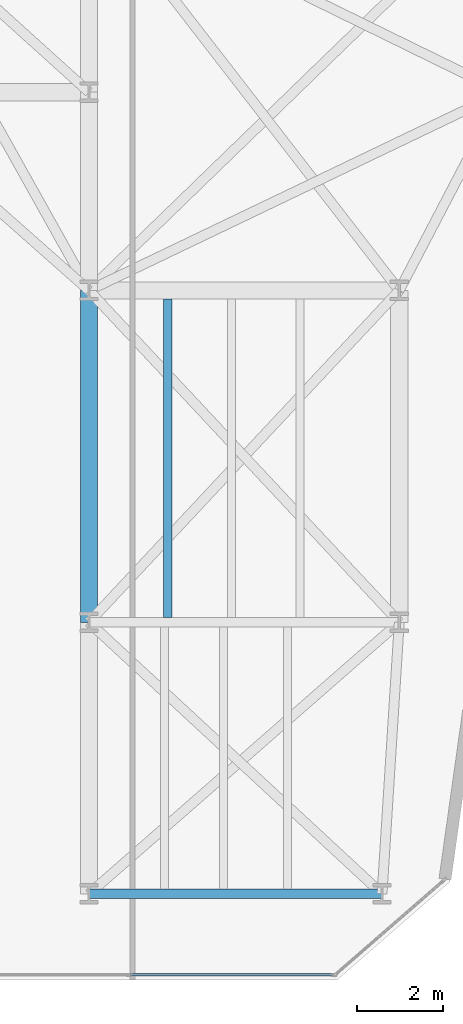
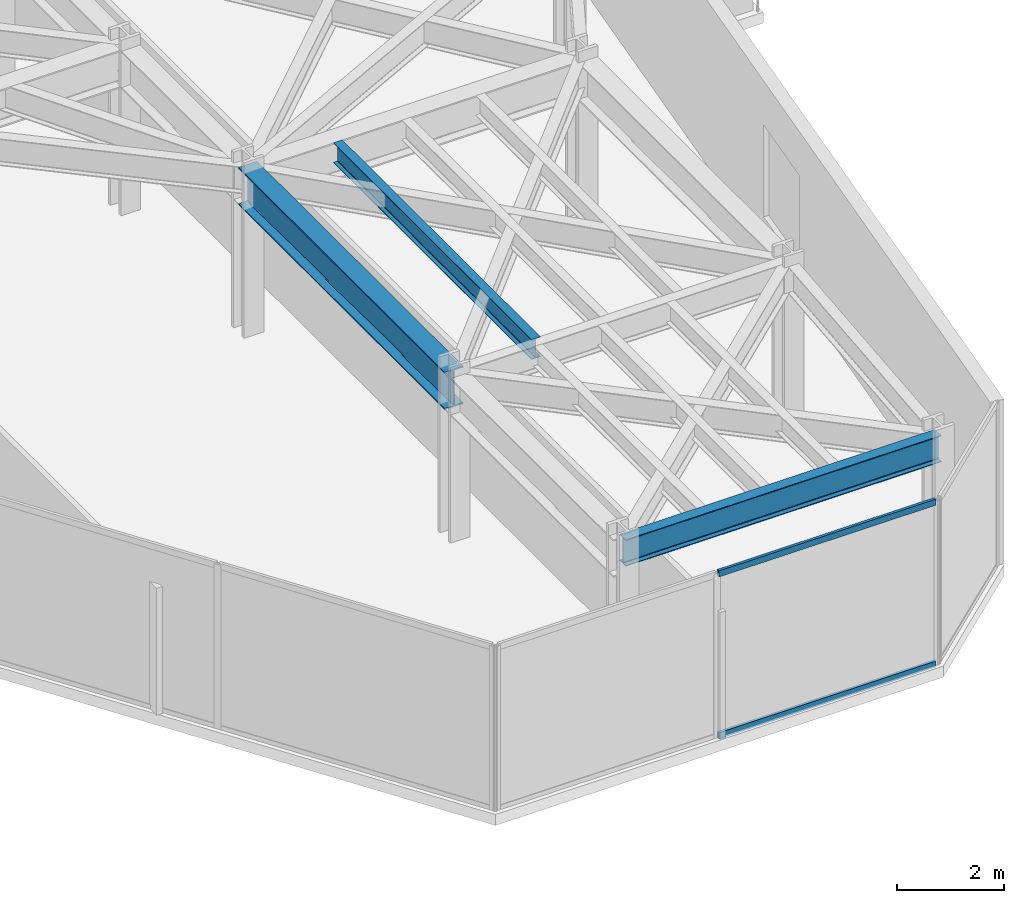
# One storey, part 18 of 26: 3 beams, 2 members, 1 element without a shape of its own.
"""IFC4 building model written with IfcOpenShell, lengths in metres."""

from ifc_helpers import new_model, si_unit, direction, frame, origin, origin_2d, place, context, subcontext, project, spatial, hollow_rectangle, i_section, extrude, material, layer, layer_set, material_profile, profile_set, type_object, element, aggregate, save


model = new_model("IFC4")

# Units and contexts
model_context = context("Model", 3, precision=1e-05, world=origin(), true_north=direction((0.0, 1.0)))
body_context = subcontext(model_context, "Body", "Model", "MODEL_VIEW")
ifc_project = project(units=[si_unit("LENGTHUNIT", "METRE"), si_unit("AREAUNIT", "SQUARE_METRE"), si_unit("VOLUMEUNIT", "CUBIC_METRE"), si_unit("PLANEANGLEUNIT", "RADIAN"), si_unit("MASSUNIT", "GRAM", prefix="KILO")], contexts=[model_context])

# Site, building, storey
site_placement = place(None, origin())
site = spatial("IfcSite", under=ifc_project, at=site_placement, CompositionType="ELEMENT")
building_placement = place(site_placement, origin())
building = spatial("IfcBuilding", under=site, at=building_placement, Name="Kravanh Interchange Tower", CompositionType="ELEMENT")
storey_placement = place(building_placement, frame((0.0, 0.0, 112.0)))
storey = spatial("IfcBuildingStorey", under=building, at=storey_placement, Name="L26", CompositionType="ELEMENT", Elevation=112.0)

# Curtain wall, members
ifc_material_1 = material(Name="Anodised Bronze Aluminium", Category="aluminium")
ifc_layer = layer(ifc_material_1, 0.179931640625)
ifc_layer_set = layer_set([ifc_layer], Name="Unitised Curtain Wall System CW-Z2 Mid Office")
curtain_wall_type = type_object("IfcCurtainWallType", Name="Unitised Curtain Wall System CW-Z2 Mid Office", PredefinedType="NOTDEFINED", material=ifc_layer_set)
curtain_wall_placement = place(storey_placement, origin())
curtain_wall = element("IfcCurtainWall", 1, at=curtain_wall_placement, inside=storey, type_object=curtain_wall_type, Name="L26 Unitised Curtain Wall CW-L26-03", PredefinedType="NOTDEFINED")
ifc_material_2 = material(Name="Anodised Bronze Aluminium", Category="aluminium")
ifc_material_profile_1 = material_profile(ifc_material_2, hollow_rectangle(XDim=0.06005859375, YDim=0.139892578125, WallThickness=0.00390625, at=origin_2d()), Name="ALU60X140X4")
ifc_profile_set_1 = profile_set([ifc_material_profile_1], Name="Anodised Bronze Aluminium")
member_type = type_object("IfcMemberType", Name="Curtain Wall Transom ALU60X140X4 Bronze", PredefinedType="USERDEFINED", material=ifc_profile_set_1)
member_1_placement = place(storey_placement, frame((61.650146484375, 6.320068359375, 0.030029296875), z_axis=(-1.0, 0.0, 0.0), x_axis=(0.0, -1.0, 0.0)))
member_1 = element("IfcMember", 2, at=member_1_placement, type_object=member_type, Name="CW-Z2 transom 1.1", ObjectType="TRANSOM", PredefinedType="USERDEFINED", context=body_context, shape_type="SweptSolid", body=[
    extrude(hollow_rectangle(XDim=0.06005859375, YDim=0.139892578125, WallThickness=0.00390625, at=origin_2d()), origin(), (0.0, 0.0, 1.0), 4.68212890625),
])
member_2_placement = place(storey_placement, frame((61.650146484375, 6.320068359375, 3.719970703125), z_axis=(-1.0, 0.0, 0.0), x_axis=(0.0, -1.0, 0.0)))
member_2 = element("IfcMember", 3, at=member_2_placement, type_object=member_type, Name="CW-Z2 transom 1.2", ObjectType="TRANSOM", PredefinedType="USERDEFINED", context=body_context, shape_type="SweptSolid", body=[
    extrude(hollow_rectangle(XDim=0.06005859375, YDim=0.139892578125, WallThickness=0.00390625, at=origin_2d()), origin(), (0.0, 0.0, 1.0), 4.68212890625),
])
aggregate(curtain_wall, [member_1, member_2])

# Beams
ifc_material_3 = material(Name="Structural Steel S355", Category="steel")
ifc_material_profile_2 = material_profile(ifc_material_3, i_section(OverallWidth=0.39990234375, OverallDepth=0.85595703125, WebThickness=0.018310546875, FlangeThickness=0.029296875, FilletRadius=0.02490234375, at=origin_2d()), Name="W33X201")
ifc_profile_set_2 = profile_set([ifc_material_profile_2], Name="Structural Steel S355")
beam_type_1 = type_object("IfcBeamType", Name="Floor Beam W33X201 Structural Steel S355", PredefinedType="BEAM", material=ifc_profile_set_2)
beam_1_placement = place(storey_placement, frame((56.0, 14.5, 3.322021484375), z_axis=(0.0, 1.0, 0.0), x_axis=(-1.0, 0.0, 0.0)))
element("IfcBeam", 4, at=beam_1_placement, inside=storey, type_object=beam_type_1, Name="L26 Primary Floor Girder 104", PredefinedType="BEAM", context=body_context, shape_type="SweptSolid", body=[
    extrude(i_section(OverallWidth=0.39990234375, OverallDepth=0.85595703125, WebThickness=0.018310546875, FlangeThickness=0.029296875, FilletRadius=0.02490234375, at=origin_2d()), origin(), (0.0, 0.0, 1.0), 7.699951171875),
])
ifc_material_4 = material(Name="Structural Steel S355", Category="steel")
ifc_material_profile_3 = material_profile(ifc_material_4, i_section(OverallWidth=0.18994140625, OverallDepth=0.45703125, WebThickness=0.009033203125, FlangeThickness=0.014404296875, FilletRadius=0.01806640625, at=origin_2d()), Name="W18X50")
ifc_profile_set_3 = profile_set([ifc_material_profile_3], Name="Structural Steel S355")
beam_type_2 = type_object("IfcBeamType", Name="Floor Joist W18X50 Structural Steel S355", PredefinedType="JOIST", material=ifc_profile_set_3)
beam_2_placement = place(storey_placement, frame((57.830078125, 14.60888671875, 3.521484375), z_axis=(0.0, 1.0, 0.0), x_axis=(-1.0, 0.0, 0.0)))
element("IfcBeam", 5, at=beam_2_placement, inside=storey, type_object=beam_type_2, Name="L26 Secondary Floor Joist 10", PredefinedType="JOIST", context=body_context, shape_type="SweptSolid", body=[
    extrude(i_section(OverallWidth=0.18994140625, OverallDepth=0.45703125, WebThickness=0.009033203125, FlangeThickness=0.014404296875, FilletRadius=0.01806640625, at=origin_2d()), origin(), (0.0, 0.0, 1.0), 7.39599609375),
])
ifc_material_5 = material(Name="Structural Steel S355", Category="steel")
ifc_material_profile_4 = material_profile(ifc_material_5, i_section(OverallWidth=0.22802734375, OverallDepth=0.60791015625, WebThickness=0.01123046875, FlangeThickness=0.017333984375, FilletRadius=0.02197265625, at=origin_2d()), Name="W24X76")
ifc_profile_set_4 = profile_set([ifc_material_profile_4], Name="Structural Steel S355")
beam_type_3 = type_object("IfcBeamType", Name="Floor Spandrel W24X76 Structural Steel S355", PredefinedType="SPANDREL", material=ifc_profile_set_4)
beam_3_placement = place(storey_placement, frame((56.0, 8.199951171875, 3.446044921875), z_axis=(1.0, 0.0, 0.0), x_axis=(0.0, 1.0, 0.0)))
element("IfcBeam", 6, at=beam_3_placement, inside=storey, type_object=beam_type_3, Name="L26 Perimeter Spandrel 96", PredefinedType="SPANDREL", context=body_context, shape_type="SweptSolid", body=[
    extrude(i_section(OverallWidth=0.22802734375, OverallDepth=0.60791015625, WebThickness=0.01123046875, FlangeThickness=0.017333984375, FilletRadius=0.02197265625, at=origin_2d()), origin(), (0.0, 0.0, 1.0), 6.800048828125),
])

save(model, "model.ifc")
